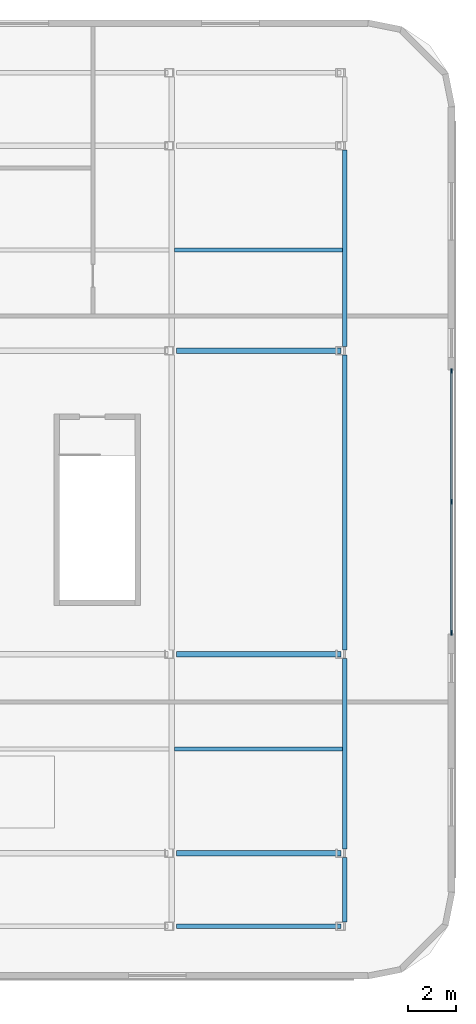
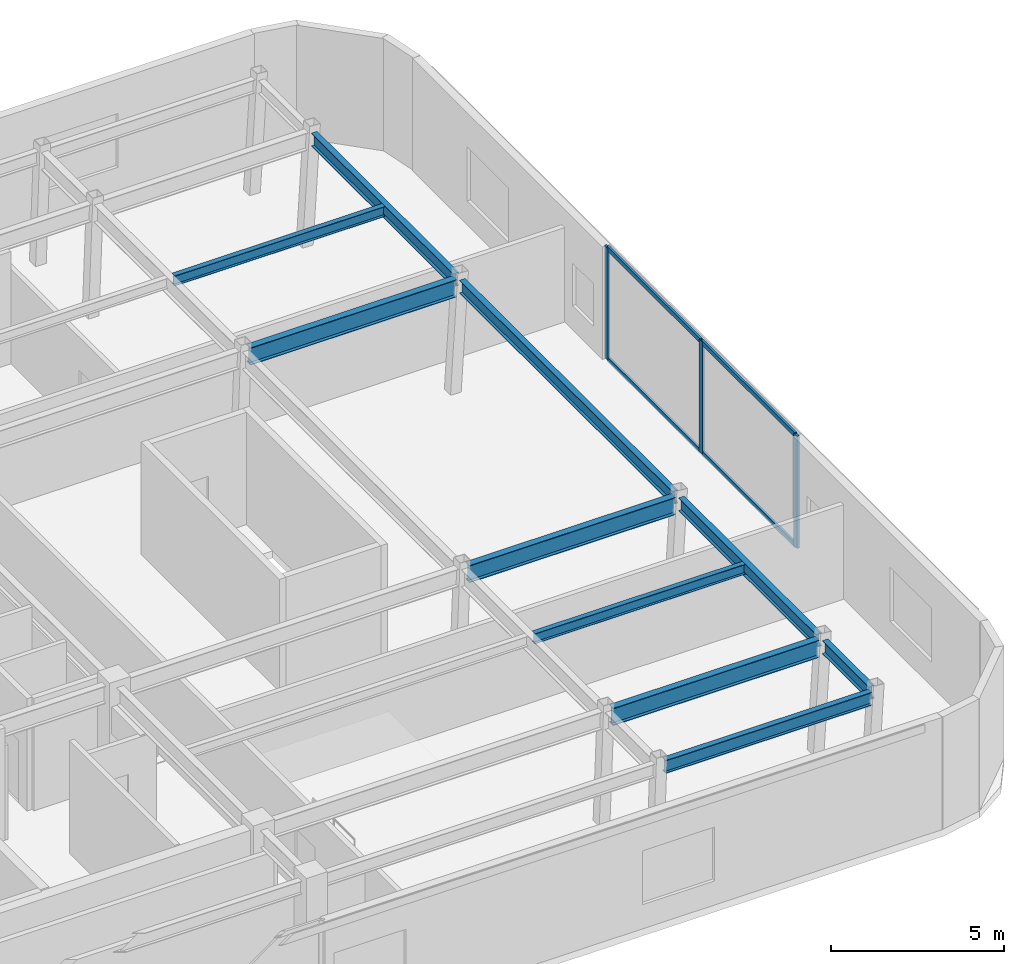
# One storey, part 3 of 11: 10 beams, 7 members, 1 element without a shape of its own.
"""IFC4 building model written with IfcOpenShell, lengths in metres."""

from ifc_helpers import new_model, si_unit, direction, frame, origin, origin_2d, place, context, subcontext, project, spatial, rectangle, i_section, extrude, material, layer, layer_set, material_profile, profile_set, type_object, element, aggregate, save


model = new_model("IFC4")

# Units and contexts
model_context = context("Model", 3, precision=1e-05, world=origin(), true_north=direction((0.0, 1.0)))
body_context = subcontext(model_context, "Body", "Model", "MODEL_VIEW")
ifc_project = project(units=[si_unit("LENGTHUNIT", "METRE"), si_unit("AREAUNIT", "SQUARE_METRE"), si_unit("VOLUMEUNIT", "CUBIC_METRE"), si_unit("PLANEANGLEUNIT", "RADIAN"), si_unit("MASSUNIT", "GRAM", prefix="KILO")], contexts=[model_context])

# Site, building, storey
site_placement = place(None, origin())
site = spatial("IfcSite", under=ifc_project, at=site_placement, CompositionType="ELEMENT")
building_placement = place(site_placement, origin())
building = spatial("IfcBuilding", under=site, at=building_placement, Name="Ochreholt Gables", CompositionType="ELEMENT")
storey_placement = place(building_placement, frame((0.0, 0.0, 192.0)))
storey = spatial("IfcBuildingStorey", under=building, at=storey_placement, Name="L50", CompositionType="ELEMENT", Elevation=192.0)

# Beams
ifc_material_1 = material(Name="Steel CSA G40.21 350W", Category="steel")
ifc_material_profile_1 = material_profile(ifc_material_1, i_section(OverallWidth=0.22900390625, OverallDepth=0.612060546875, WebThickness=0.011962890625, FlangeThickness=0.01953125, at=origin_2d()), Name="W610X125")
ifc_profile_set_1 = profile_set([ifc_material_profile_1], Name="Steel CSA G40.21 350W")
beam_type_1 = type_object("IfcBeamType", Name="BM-G-W610B", PredefinedType="BEAM", material=ifc_profile_set_1)
for number, where, z_axis, x_axis, name in (
    (1, (46.980712890625, 9.25, 3.654052734375), (1.0, 0.0, 0.0), (0.0, 1.0, 0.0), "L50 Beam TBG-L50-EMEE-Y2"),
    (2, (46.980712890625, 17.550048828125, 3.654052734375), (1.0, 0.0, 0.0), (0.0, 1.0, 0.0), "L50 Beam TBG-L50-EMEE-Y3"),
    (3, (46.980712890625, 30.199951171875, 3.654052734375), (1.0, 0.0, 0.0), (0.0, 1.0, 0.0), "L50 Beam TBG-L50-EMEE-Y4"),
):
    element("IfcBeam", number, at=place(storey_placement, frame(where, z_axis=z_axis, x_axis=x_axis)), inside=storey, type_object=beam_type_1, Name=name, PredefinedType="BEAM", context=body_context, shape_type="SweptSolid", body=[
        extrude(i_section(OverallWidth=0.22900390625, OverallDepth=0.612060546875, WebThickness=0.011962890625, FlangeThickness=0.01953125, at=origin_2d()), origin(), (0.0, 0.0, 1.0), 6.878173828125),
    ])
ifc_material_profile_2 = material_profile(ifc_material_1, i_section(OverallWidth=0.172119140625, OverallDepth=0.35791015625, WebThickness=0.0078125, FlangeThickness=0.01318359375, at=origin_2d()), Name="W360X57")
ifc_profile_set_2 = profile_set([ifc_material_profile_2], Name="Steel CSA G40.21 350W")
beam_type_2 = type_object("IfcBeamType", Name="BM-J-W360B", PredefinedType="JOIST", material=ifc_profile_set_2)
for number, where, z_axis, x_axis, name in (
    (4, (46.89990234375, 13.60009765625, 3.781005859375), (1.0, 0.0, 0.0), (0.0, 1.0, 0.0), "L50 Beam TBJ-L50-J1-EMEE"),
    (5, (46.89990234375, 34.39990234375, 3.781005859375), (1.0, 0.0, 0.0), (0.0, 1.0, 0.0), "L50 Beam TBJ-L50-J2-EMEE"),
):
    element("IfcBeam", number, at=place(storey_placement, frame(where, z_axis=z_axis, x_axis=x_axis)), inside=storey, type_object=beam_type_2, Name=name, PredefinedType="JOIST", context=body_context, shape_type="SweptSolid", body=[
        extrude(i_section(OverallWidth=0.172119140625, OverallDepth=0.35791015625, WebThickness=0.0078125, FlangeThickness=0.01318359375, at=origin_2d()), origin(), (0.0, 0.0, 1.0), 7.012451171875),
    ])
ifc_material_profile_3 = material_profile(ifc_material_1, i_section(OverallWidth=0.19189453125, OverallDepth=0.462890625, WebThickness=0.010498046875, FlangeThickness=0.017578125, at=origin_2d()), Name="W460X89")
ifc_profile_set_3 = profile_set([ifc_material_profile_3], Name="Steel CSA G40.21 350W")
beam_type_3 = type_object("IfcBeamType", Name="BM-SP-W460A", PredefinedType="SPANDREL", material=ifc_profile_set_3)
beam_1_placement = place(storey_placement, frame((46.980712890625, 6.199951171875, 3.728515625), z_axis=(1.0, 0.0, 0.0), x_axis=(0.0, 1.0, 0.0)))
element("IfcBeam", 6, at=beam_1_placement, inside=storey, type_object=beam_type_3, Name="L50 Beam TBG-L50-EMEE-Y1", PredefinedType="SPANDREL", context=body_context, shape_type="SweptSolid", body=[
    extrude(i_section(OverallWidth=0.19189453125, OverallDepth=0.462890625, WebThickness=0.010498046875, FlangeThickness=0.017578125, at=origin_2d()), origin(), (0.0, 0.0, 1.0), 6.878173828125),
])
beam_2_placement = place(storey_placement, frame((54.008056640625, 6.377685546875, 3.728515625), z_axis=(0.0, 1.0, 0.0), x_axis=(-1.0, 0.0, 0.0)))
element("IfcBeam", 7, at=beam_2_placement, inside=storey, type_object=beam_type_3, Name="L50 Beam TBN-L50-EE-Y1Y2", PredefinedType="SPANDREL", context=body_context, shape_type="SweptSolid", body=[
    extrude(i_section(OverallWidth=0.19189453125, OverallDepth=0.462890625, WebThickness=0.010498046875, FlangeThickness=0.017578125, at=origin_2d()), origin(), (0.0, 0.0, 1.0), 2.69482421875),
])
beam_3_placement = place(storey_placement, frame((54.008056640625, 9.427490234375, 3.728515625), z_axis=(0.0, 1.0, 0.0), x_axis=(-1.0, 0.0, 0.0)))
element("IfcBeam", 8, at=beam_3_placement, inside=storey, type_object=beam_type_3, Name="L50 Beam TBN-L50-EE-Y2Y3", PredefinedType="SPANDREL", context=body_context, shape_type="SweptSolid", body=[
    extrude(i_section(OverallWidth=0.19189453125, OverallDepth=0.462890625, WebThickness=0.010498046875, FlangeThickness=0.017578125, at=origin_2d()), origin(), (0.0, 0.0, 1.0), 7.94482421875),
])
beam_4_placement = place(storey_placement, frame((54.008056640625, 17.7275390625, 3.728515625), z_axis=(0.0, 1.0, 0.0), x_axis=(-1.0, 0.0, 0.0)))
element("IfcBeam", 9, at=beam_4_placement, inside=storey, type_object=beam_type_3, Name="L50 Beam TBN-L50-EE-Y3Y4", PredefinedType="SPANDREL", context=body_context, shape_type="SweptSolid", body=[
    extrude(i_section(OverallWidth=0.19189453125, OverallDepth=0.462890625, WebThickness=0.010498046875, FlangeThickness=0.017578125, at=origin_2d()), origin(), (0.0, 0.0, 1.0), 12.294921875),
])
beam_5_placement = place(storey_placement, frame((54.008056640625, 30.377685546875, 3.728515625), z_axis=(0.0, 1.0, 0.0), x_axis=(-1.0, 0.0, 0.0)))
element("IfcBeam", 10, at=beam_5_placement, inside=storey, type_object=beam_type_3, Name="L50 Beam TBN-L50-EE-Y4Y5", PredefinedType="SPANDREL", context=body_context, shape_type="SweptSolid", body=[
    extrude(i_section(OverallWidth=0.19189453125, OverallDepth=0.462890625, WebThickness=0.010498046875, FlangeThickness=0.017578125, at=origin_2d()), origin(), (0.0, 0.0, 1.0), 8.19482421875),
])

# Curtain wall, members
ifc_material_2 = material(Name="Unitised Aluminium and Triple Glazing", Category="aluminium")
ifc_layer = layer(ifc_material_2, 0.219970703125, Name="Unitised Aluminium and Triple Glazing")
ifc_layer_set = layer_set([ifc_layer], Name="Unitised Aluminium and Triple Glazing")
curtain_wall_type = type_object("IfcCurtainWallType", Name="CW-SYS6", PredefinedType="NOTDEFINED", material=ifc_layer_set)
curtain_wall_placement = place(storey_placement, origin())
curtain_wall = element("IfcCurtainWall", 11, at=curtain_wall_placement, inside=storey, type_object=curtain_wall_type, Name="L50 East Unitised Curtain Wall", PredefinedType="NOTDEFINED")
ifc_material_3 = material(Name="Anodized Aluminium 6063-T6", Category="aluminium")
ifc_material_profile_4 = material_profile(ifc_material_3, rectangle(XDim=0.074951171875, YDim=0.199951171875, at=origin_2d()), Name="CWM75X200")
ifc_profile_set_4 = profile_set([ifc_material_profile_4], Name="Anodized Aluminium 6063-T6")
member_type_1 = type_object("IfcMemberType", Name="CW-MUL-A", PredefinedType="MULLION", material=ifc_profile_set_4)
member_1_placement = place(storey_placement, frame((58.4599609375, 18.4375, 0.0), z_axis=(0.0, 0.0, 1.0), x_axis=(-1.0, 0.0, 0.0)))
member_1 = element("IfcMember", 12, at=member_1_placement, type_object=member_type_1, Name="CW-6 mullion 1", PredefinedType="MULLION", context=body_context, shape_type="SweptSolid", body=[
    extrude(rectangle(XDim=0.074951171875, YDim=0.199951171875, at=origin_2d()), origin(), (0.0, 0.0, 1.0), 3.9599609375),
])
member_2_placement = place(storey_placement, frame((58.4599609375, 23.89990234375, 0.0), z_axis=(0.0, 0.0, 1.0), x_axis=(-1.0, 0.0, 0.0)))
member_2 = element("IfcMember", 13, at=member_2_placement, type_object=member_type_1, Name="CW-6 mullion 2", PredefinedType="MULLION", context=body_context, shape_type="SweptSolid", body=[
    extrude(rectangle(XDim=0.074951171875, YDim=0.199951171875, at=origin_2d()), origin(), (0.0, 0.0, 1.0), 3.9599609375),
])
member_3_placement = place(storey_placement, frame((58.4599609375, 29.362548828125, 0.0), z_axis=(0.0, 0.0, 1.0), x_axis=(-1.0, 0.0, 0.0)))
member_3 = element("IfcMember", 14, at=member_3_placement, type_object=member_type_1, Name="CW-6 mullion 3", PredefinedType="MULLION", context=body_context, shape_type="SweptSolid", body=[
    extrude(rectangle(XDim=0.074951171875, YDim=0.199951171875, at=origin_2d()), origin(), (0.0, 0.0, 1.0), 3.9599609375),
])
ifc_material_profile_5 = material_profile(ifc_material_3, rectangle(XDim=0.074951171875, YDim=0.159912109375, at=origin_2d()), Name="CWT75X160")
ifc_profile_set_5 = profile_set([ifc_material_profile_5], Name="Anodized Aluminium 6063-T6")
member_type_2 = type_object("IfcMemberType", Name="CW-TRN-A", PredefinedType="USERDEFINED", material=ifc_profile_set_5)
member_4_placement = place(storey_placement, frame((58.4599609375, 18.47509765625, 0.03759765625), z_axis=(0.0, 1.0, 0.0), x_axis=(-1.0, 0.0, 0.0)))
member_4 = element("IfcMember", 15, at=member_4_placement, type_object=member_type_2, Name="CW-6 transom 1.1", ObjectType="TRANSOM", PredefinedType="USERDEFINED", context=body_context, shape_type="SweptSolid", body=[
    extrude(rectangle(XDim=0.074951171875, YDim=0.159912109375, at=origin_2d()), origin(), (0.0, 0.0, 1.0), 5.387451171875),
])
member_5_placement = place(storey_placement, frame((58.4599609375, 18.47509765625, 3.922607421875), z_axis=(0.0, 1.0, 0.0), x_axis=(-1.0, 0.0, 0.0)))
member_5 = element("IfcMember", 16, at=member_5_placement, type_object=member_type_2, Name="CW-6 transom 1.2", ObjectType="TRANSOM", PredefinedType="USERDEFINED", context=body_context, shape_type="SweptSolid", body=[
    extrude(rectangle(XDim=0.074951171875, YDim=0.159912109375, at=origin_2d()), origin(), (0.0, 0.0, 1.0), 5.387451171875),
])
member_6_placement = place(storey_placement, frame((58.4599609375, 23.9375, 0.03759765625), z_axis=(0.0, 1.0, 0.0), x_axis=(-1.0, 0.0, 0.0)))
member_6 = element("IfcMember", 17, at=member_6_placement, type_object=member_type_2, Name="CW-6 transom 2.1", ObjectType="TRANSOM", PredefinedType="USERDEFINED", context=body_context, shape_type="SweptSolid", body=[
    extrude(rectangle(XDim=0.074951171875, YDim=0.159912109375, at=origin_2d()), origin(), (0.0, 0.0, 1.0), 5.387451171875),
])
member_7_placement = place(storey_placement, frame((58.4599609375, 23.9375, 3.922607421875), z_axis=(0.0, 1.0, 0.0), x_axis=(-1.0, 0.0, 0.0)))
member_7 = element("IfcMember", 18, at=member_7_placement, type_object=member_type_2, Name="CW-6 transom 2.2", ObjectType="TRANSOM", PredefinedType="USERDEFINED", context=body_context, shape_type="SweptSolid", body=[
    extrude(rectangle(XDim=0.074951171875, YDim=0.159912109375, at=origin_2d()), origin(), (0.0, 0.0, 1.0), 5.387451171875),
])
aggregate(curtain_wall, [member_1, member_2, member_3, member_4, member_5, member_6, member_7])

save(model, "model.ifc")
